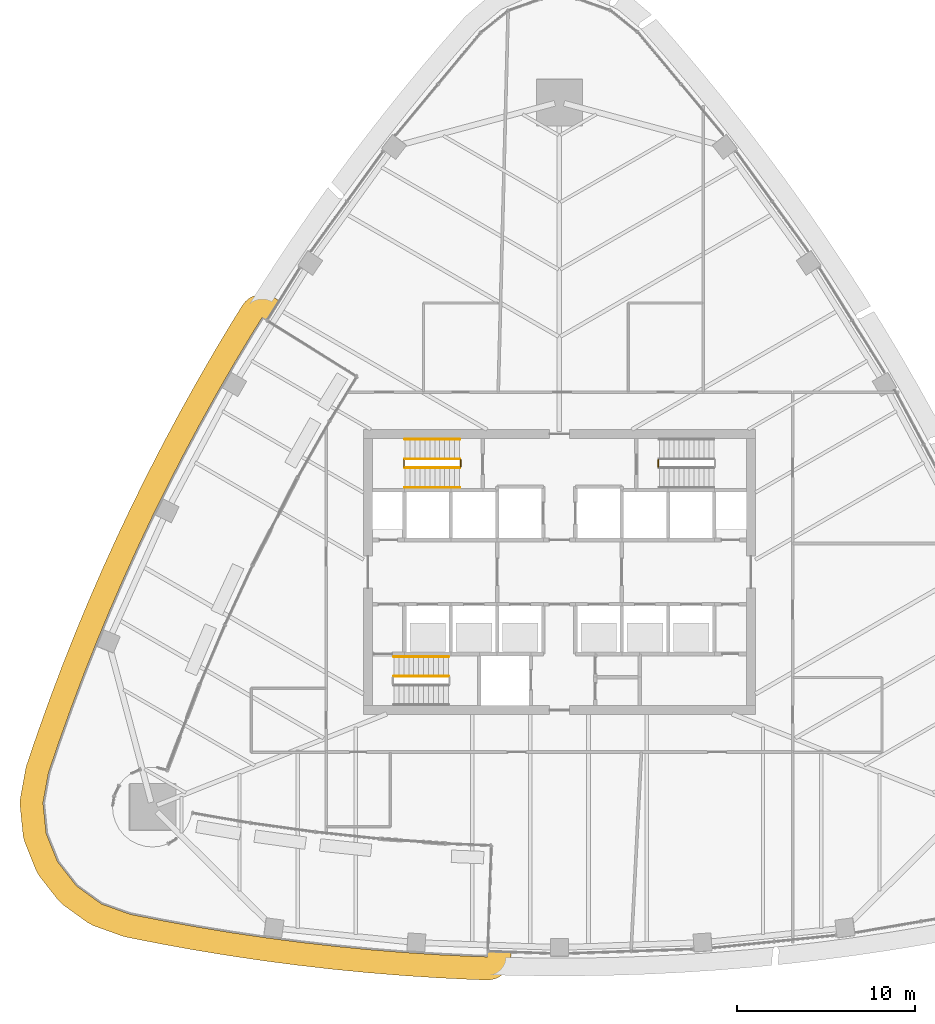
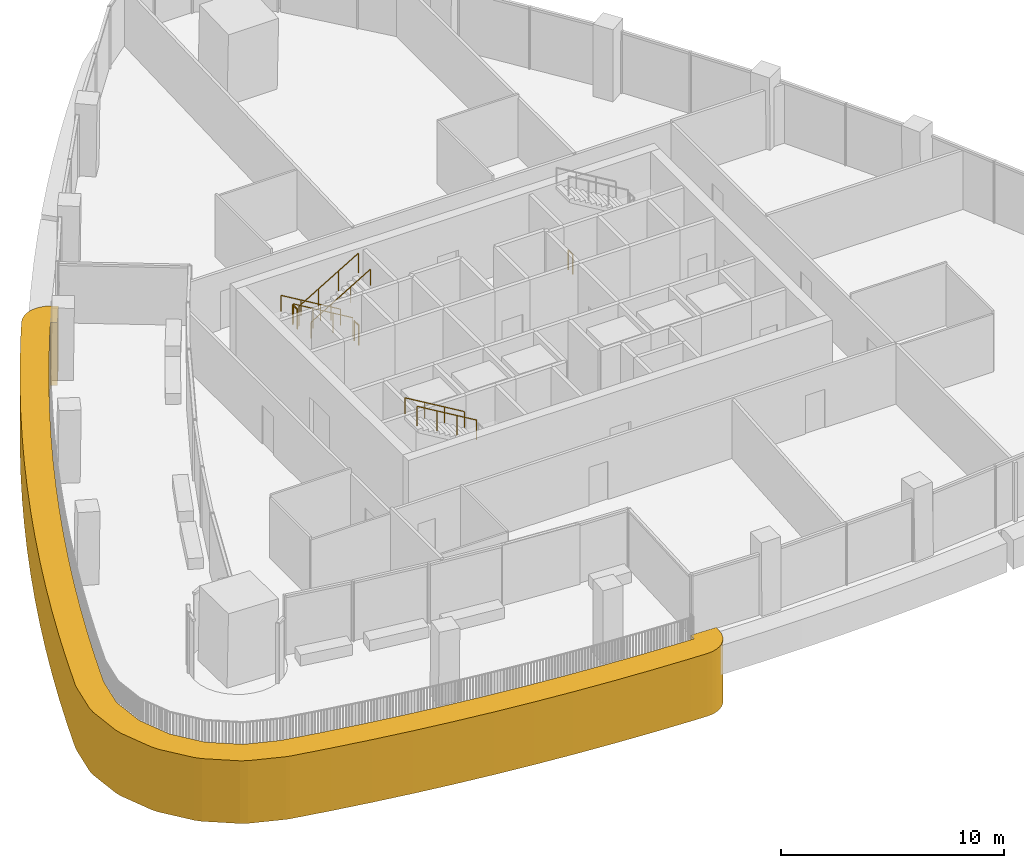
# One storey, part 15 of 18: 9 railings, 1 covering.
"""IFC4 building model written with IfcOpenShell, lengths in metres."""

from ifc_helpers import new_model, si_unit, direction, frame, origin, origin_2d, place, context, subcontext, project, spatial, polyline, circle, outline, extrude, material, layer, layer_set, type_object, element, save


model = new_model("IFC4")

# Units and contexts
model_context = context("Model", 3, precision=1e-05, world=origin(), true_north=direction((0.0, 1.0)))
body_context = subcontext(model_context, "Body", "Model", "MODEL_VIEW")
ifc_project = project(units=[si_unit("LENGTHUNIT", "METRE"), si_unit("AREAUNIT", "SQUARE_METRE"), si_unit("VOLUMEUNIT", "CUBIC_METRE"), si_unit("PLANEANGLEUNIT", "RADIAN"), si_unit("MASSUNIT", "GRAM", prefix="KILO")], contexts=[model_context])

# Site, building, storey
site_placement = place(None, origin())
site = spatial("IfcSite", under=ifc_project, at=site_placement, CompositionType="ELEMENT")
building_placement = place(site_placement, origin())
building = spatial("IfcBuilding", under=site, at=building_placement, Name="Sierra Prisma Convention Tower", CompositionType="ELEMENT")
storey_placement = place(building_placement, frame((0.0, 0.0, 205.800048828125)))
storey = spatial("IfcBuildingStorey", under=building, at=storey_placement, Name="L46", CompositionType="ELEMENT", Elevation=205.800048828125)

# Railings
ifc_material_1 = material(Name="Stainless steel", Category="steel")
railing_type_1 = type_object("IfcRailingType", Name="Exit stair handrail", PredefinedType="HANDRAIL", material=ifc_material_1)
railing_1_placement = place(storey_placement, frame((-6.219970703125, -4.75, 2.16650390625)))
element("IfcRailing", 1, at=railing_1_placement, inside=storey, type_object=railing_type_1, Name="L46 S1 stair handrail 2", PredefinedType="HANDRAIL", context=body_context, shape_type="SweptSolid", body=[
    extrude(circle(Radius=0.02392578125, at=origin_2d()), frame((0.0, 0.0, 0.8759765625), z_axis=(-0.85927862911, 0.0, 0.511507807912), x_axis=(0.0, -1.0, 0.0)), (0.0, 0.0, 1.0), 3.58447265625),
    extrude(circle(Radius=0.02099609375, at=origin_2d()), origin(), (0.0, 0.0, 1.0), 0.851806640625),
    extrude(circle(Radius=0.02099609375, at=origin_2d()), frame((-1.026611328125, 0.0, 0.611083984375)), (0.0, 0.0, 1.0), 0.851806640625),
    extrude(circle(Radius=0.02099609375, at=origin_2d()), frame((-2.053466796875, 0.0, 1.222412109375)), (0.0, 0.0, 1.0), 0.851806640625),
    extrude(circle(Radius=0.02099609375, at=origin_2d()), frame((-3.080078125, 0.0, 1.83349609375)), (0.0, 0.0, 1.0), 0.851806640625),
])
railing_2_placement = place(storey_placement, frame((-5.60009765625, 7.449951171875, 0.16650390625)))
element("IfcRailing", 2, at=railing_2_placement, inside=storey, type_object=railing_type_1, Name="L46 S3 stair handrail 1", PredefinedType="HANDRAIL", context=body_context, shape_type="SweptSolid", body=[
    extrude(circle(Radius=0.02392578125, at=origin_2d()), frame((0.0, 0.0, 0.8759765625), z_axis=(-0.859260807169, 0.0, 0.511537745687), x_axis=(0.0, -1.0, 0.0)), (0.0, 0.0, 1.0), 3.584228515625),
    extrude(circle(Radius=0.02099609375, at=origin_2d()), origin(), (0.0, 0.0, 1.0), 0.851806640625),
    extrude(circle(Radius=0.02099609375, at=origin_2d()), frame((-1.026611328125, 0.0, 0.611083984375)), (0.0, 0.0, 1.0), 0.851806640625),
    extrude(circle(Radius=0.02099609375, at=origin_2d()), frame((-2.05322265625, 0.0, 1.222412109375)), (0.0, 0.0, 1.0), 0.851806640625),
    extrude(circle(Radius=0.02099609375, at=origin_2d()), frame((-3.079833984375, 0.0, 1.83349609375)), (0.0, 0.0, 1.0), 0.851806640625),
])
railing_3_placement = place(storey_placement, frame((-8.679931640625, 4.75, 2.16650390625)))
element("IfcRailing", 3, at=railing_3_placement, inside=storey, type_object=railing_type_1, Name="L46 S3 stair handrail 2", PredefinedType="HANDRAIL", context=body_context, shape_type="SweptSolid", body=[
    extrude(circle(Radius=0.02392578125, at=origin_2d()), frame((0.0, 0.0, 0.8759765625), z_axis=(0.859260807169, 0.0, 0.511537745687), x_axis=(0.0, 1.0, 0.0)), (0.0, 0.0, 1.0), 3.584228515625),
    extrude(circle(Radius=0.02099609375, at=origin_2d()), origin(), (0.0, 0.0, 1.0), 0.851806640625),
    extrude(circle(Radius=0.02099609375, at=origin_2d()), frame((1.026611328125, 0.0, 0.611083984375)), (0.0, 0.0, 1.0), 0.851806640625),
    extrude(circle(Radius=0.02099609375, at=origin_2d()), frame((2.05322265625, 0.0, 1.222412109375)), (0.0, 0.0, 1.0), 0.851806640625),
    extrude(circle(Radius=0.02099609375, at=origin_2d()), frame((3.079833984375, 0.0, 1.83349609375)), (0.0, 0.0, 1.0), 0.851806640625),
])
ifc_material_2 = material(Name="Stainless steel", Category="steel")
railing_type_2 = type_object("IfcRailingType", Name="Stair guard 1100", PredefinedType="GUARDRAIL", material=ifc_material_2)
railing_4_placement = place(storey_placement, frame((-6.219970703125, -5.85009765625, 2.16650390625)))
element("IfcRailing", 4, at=railing_4_placement, inside=storey, type_object=railing_type_2, Name="L46 S1 stair guard 3", PredefinedType="GUARDRAIL", context=body_context, shape_type="SweptSolid", body=[
    extrude(circle(Radius=0.02392578125, at=origin_2d()), frame((0.0, 0.0, 1.076171875), z_axis=(-0.85927862911, 0.0, 0.511507807912), x_axis=(0.0, -1.0, 0.0)), (0.0, 0.0, 1.0), 3.58447265625),
    extrude(circle(Radius=0.02099609375, at=origin_2d()), origin(), (0.0, 0.0, 1.0), 1.052001953125),
    extrude(circle(Radius=0.02099609375, at=origin_2d()), frame((-1.026611328125, 0.0, 0.611083984375)), (0.0, 0.0, 1.0), 1.052001953125),
    extrude(circle(Radius=0.02099609375, at=origin_2d()), frame((-2.053466796875, 0.0, 1.222412109375)), (0.0, 0.0, 1.0), 1.052001953125),
    extrude(circle(Radius=0.02099609375, at=origin_2d()), frame((-3.080078125, 0.0, 1.83349609375)), (0.0, 0.0, 1.0), 1.052001953125),
])
railing_5_placement = place(storey_placement, frame((-5.60009765625, 6.35009765625, 0.16650390625)))
element("IfcRailing", 5, at=railing_5_placement, inside=storey, type_object=railing_type_2, Name="L46 S3 stair guard 1", PredefinedType="GUARDRAIL", context=body_context, shape_type="SweptSolid", body=[
    extrude(circle(Radius=0.02392578125, at=origin_2d()), frame((0.0, 0.0, 1.076171875), z_axis=(-0.859260807169, 0.0, 0.511537745687), x_axis=(0.0, -1.0, 0.0)), (0.0, 0.0, 1.0), 3.584228515625),
    extrude(circle(Radius=0.02099609375, at=origin_2d()), origin(), (0.0, 0.0, 1.0), 1.052001953125),
    extrude(circle(Radius=0.02099609375, at=origin_2d()), frame((-1.026611328125, 0.0, 0.611083984375)), (0.0, 0.0, 1.0), 1.052001953125),
    extrude(circle(Radius=0.02099609375, at=origin_2d()), frame((-2.05322265625, 0.0, 1.222412109375)), (0.0, 0.0, 1.0), 1.052001953125),
    extrude(circle(Radius=0.02099609375, at=origin_2d()), frame((-3.079833984375, 0.0, 1.83349609375)), (0.0, 0.0, 1.0), 1.052001953125),
])
railing_6_placement = place(storey_placement, frame((-8.72998046875, 6.300048828125, 2.0)))
element("IfcRailing", 6, at=railing_6_placement, inside=storey, type_object=railing_type_2, Name="L46 S3 stair guard 2", PredefinedType="GUARDRAIL", context=body_context, shape_type="SweptSolid", body=[
    extrude(circle(Radius=0.02392578125, at=origin_2d()), frame((0.0, 0.0, 1.076171875), z_axis=(0.0, -1.0, 0.0), x_axis=(1.0, 0.0, 0.0)), (0.0, 0.0, 1.0), 0.400146484375),
    extrude(circle(Radius=0.02099609375, at=origin_2d()), origin(), (0.0, 0.0, 1.0), 1.052001953125),
    extrude(circle(Radius=0.02099609375, at=origin_2d()), frame((0.0, -0.400146484375, 0.0)), (0.0, 0.0, 1.0), 1.052001953125),
])
railing_7_placement = place(storey_placement, frame((-8.679931640625, 5.85009765625, 2.16650390625)))
element("IfcRailing", 7, at=railing_7_placement, inside=storey, type_object=railing_type_2, Name="L46 S3 stair guard 3", PredefinedType="GUARDRAIL", context=body_context, shape_type="SweptSolid", body=[
    extrude(circle(Radius=0.02392578125, at=origin_2d()), frame((0.0, 0.0, 1.076171875), z_axis=(0.859260807169, 0.0, 0.511537745687), x_axis=(0.0, 1.0, 0.0)), (0.0, 0.0, 1.0), 3.584228515625),
    extrude(circle(Radius=0.02099609375, at=origin_2d()), origin(), (0.0, 0.0, 1.0), 1.052001953125),
    extrude(circle(Radius=0.02099609375, at=origin_2d()), frame((1.026611328125, 0.0, 0.611083984375)), (0.0, 0.0, 1.0), 1.052001953125),
    extrude(circle(Radius=0.02099609375, at=origin_2d()), frame((2.05322265625, 0.0, 1.222412109375)), (0.0, 0.0, 1.0), 1.052001953125),
    extrude(circle(Radius=0.02099609375, at=origin_2d()), frame((3.079833984375, 0.0, 1.83349609375)), (0.0, 0.0, 1.0), 1.052001953125),
])
railing_8_placement = place(storey_placement, frame((-5.550048828125, 6.300048828125, 0.0)))
element("IfcRailing", 8, at=railing_8_placement, inside=storey, type_object=railing_type_2, Name="L46 S3 stair guard 4", PredefinedType="GUARDRAIL", context=body_context, shape_type="SweptSolid", body=[
    extrude(circle(Radius=0.02392578125, at=origin_2d()), frame((0.0, 0.0, 1.076171875), z_axis=(0.0, -1.0, 0.0), x_axis=(1.0, 0.0, 0.0)), (0.0, 0.0, 1.0), 0.400146484375),
    extrude(circle(Radius=0.02099609375, at=origin_2d()), origin(), (0.0, 0.0, 1.0), 1.052001953125),
    extrude(circle(Radius=0.02099609375, at=origin_2d()), frame((0.0, -0.400146484375, 0.0)), (0.0, 0.0, 1.0), 1.052001953125),
])
railing_9_placement = place(storey_placement, frame((5.550048828125, 5.89990234375, 0.0)))
element("IfcRailing", 9, at=railing_9_placement, inside=storey, type_object=railing_type_2, Name="L46 S4 stair guard 4", PredefinedType="GUARDRAIL", context=body_context, shape_type="SweptSolid", body=[
    extrude(circle(Radius=0.02392578125, at=origin_2d()), frame((0.0, 0.0, 1.076171875), z_axis=(0.0, 1.0, 0.0), x_axis=(-1.0, 0.0, 0.0)), (0.0, 0.0, 1.0), 0.400146484375),
    extrude(circle(Radius=0.02099609375, at=origin_2d()), origin(), (0.0, 0.0, 1.0), 1.052001953125),
    extrude(circle(Radius=0.02099609375, at=origin_2d()), frame((0.0, 0.400146484375, 0.0)), (0.0, 0.0, 1.0), 1.052001953125),
])

# Covering
ifc_material_3 = material(Name="Aluminium composite bronze anodised", Category="aluminium")
ifc_layer = layer(ifc_material_3, 1.300048828125)
ifc_layer_set = layer_set([ifc_layer], Name="Terrace fascia")
covering_type = type_object("IfcCoveringType", Name="Terrace fascia", PredefinedType="CLADDING", material=ifc_layer_set)
covering_placement = place(storey_placement, frame((0.0, 0.0, -3.400146484375)))
element("IfcCovering", 10, at=covering_placement, inside=storey, type_object=covering_type, Name="Terrace fascia L46.1", PredefinedType="CLADDING", context=body_context, shape_type="SweptSolid", body=[
    extrude(outline(polyline([(-2.73681640625, -21.643310546875), (-2.770263671875, -21.8955078125), (-2.852294921875, -22.13671875), (-2.979736328125, -22.357177734375), (-3.147705078125, -22.54833984375), (-3.349853515625, -22.703369140625), (-3.578369140625, -22.81591796875), (-3.82421875, -22.8818359375), (-4.078369140625, -22.8984375), (-4.893310546875, -22.871826171875), (-4.914306640625, -22.87109375), (-6.85302734375, -22.776123046875), (-6.8740234375, -22.77490234375), (-8.810791015625, -22.648681640625), (-8.83203125, -22.64697265625), (-10.7666015625, -22.489013671875), (-10.78759765625, -22.4873046875), (-12.71923828125, -22.297607421875), (-12.740234375, -22.29541015625), (-14.66845703125, -22.074462890625), (-14.689453125, -22.072021484375), (-16.614013671875, -21.819580078125), (-16.635009765625, -21.816650390625), (-18.554931640625, -21.533203125), (-18.575927734375, -21.52978515625), (-20.4912109375, -21.21484375), (-20.511962890625, -21.211181640625), (-22.421630859375, -20.865234375), (-22.4423828125, -20.861328125), (-24.346435546875, -20.484130859375), (-24.53271484375, -20.4326171875), (-26.153076171875, -19.851806640625), (-26.475341796875, -19.681884765625), (-27.87109375, -18.674072265625), (-28.133544921875, -18.42138671875), (-29.194580078125, -17.06591796875), (-29.376953125, -16.75048828125), (-30.020263671875, -15.153564453125), (-30.107666015625, -14.800048828125), (-30.28271484375, -13.08740234375), (-30.2685546875, -12.723388671875), (-29.96142578125, -11.029541015625), (-29.9130859375, -10.842529296875), (-29.28759765625, -9.005126953125), (-29.28076171875, -8.985107421875), (-28.62548828125, -7.158203125), (-28.6181640625, -7.13818359375), (-27.933349609375, -5.322265625), (-27.92578125, -5.302490234375), (-27.211181640625, -3.497802734375), (-27.203369140625, -3.478271484375), (-26.459716796875, -1.685546875), (-26.451416015625, -1.666015625), (-25.6787109375, 0.114501953125), (-25.669921875, 0.1337890625), (-24.8681640625, 1.9013671875), (-24.859375, 1.92041015625), (-24.02880859375, 3.6748046875), (-24.019775390625, 3.69384765625), (-23.160888671875, 5.434326171875), (-23.1513671875, 5.453125), (-22.26416015625, 7.179443359375), (-22.25439453125, 7.1982421875), (-21.339111328125, 8.909912109375), (-21.3291015625, 8.928466796875), (-20.385986328125, 10.625), (-20.37548828125, 10.643310546875), (-19.4052734375, 12.32421875), (-19.39453125, 12.34228515625), (-18.396728515625, 14.007080078125), (-18.3857421875, 14.025390625), (-17.79150390625, 14.981201171875), (-17.63623046875, 15.18359375), (-17.4443359375, 15.351806640625), (-17.223388671875, 15.479248046875), (-16.98193359375, 15.56103515625), (-16.72900390625, 15.59423828125), (-16.474609375, 15.577392578125), (-16.228271484375, 15.510986328125), (-15.999755859375, 15.39794921875), (-15.734130859375, 15.232421875), (-16.42041015625, 14.12841796875), (-16.6875, 14.294921875), (-17.28173828125, 13.339111328125), (-18.279296875, 11.67431640625), (-19.249755859375, 9.993408203125), (-20.192626953125, 8.296875), (-21.10791015625, 6.585205078125), (-21.9951171875, 4.85888671875), (-22.85400390625, 3.118408203125), (-23.684326171875, 1.3642578125), (-24.486083984375, -0.4033203125), (-25.2587890625, -2.18359375), (-26.002685546875, -3.976318359375), (-26.717041015625, -5.781005859375), (-27.40185546875, -7.596923828125), (-28.056884765625, -9.424072265625), (-28.682373046875, -11.261474609375), (-28.989501953125, -12.955322265625), (-28.814453125, -14.667724609375), (-28.171142578125, -16.2646484375), (-27.10986328125, -17.6201171875), (-25.71435546875, -18.6279296875), (-24.09375, -19.208984375), (-22.18994140625, -19.586181640625), (-20.2802734375, -19.93212890625), (-18.364990234375, -20.2470703125), (-16.44482421875, -20.53076171875), (-14.5205078125, -20.782958984375), (-12.59228515625, -21.00390625), (-10.66064453125, -21.193359375), (-8.726318359375, -21.351318359375), (-6.78955078125, -21.477783203125), (-4.850830078125, -21.572509765625), (-4.035888671875, -21.59912109375), (-4.025390625, -21.28466796875), (-2.72607421875, -21.3271484375), (-2.73681640625, -21.643310546875)])), origin(), (0.0, 0.0, 1.0), 3.440185546875),
])

save(model, "model.ifc")
